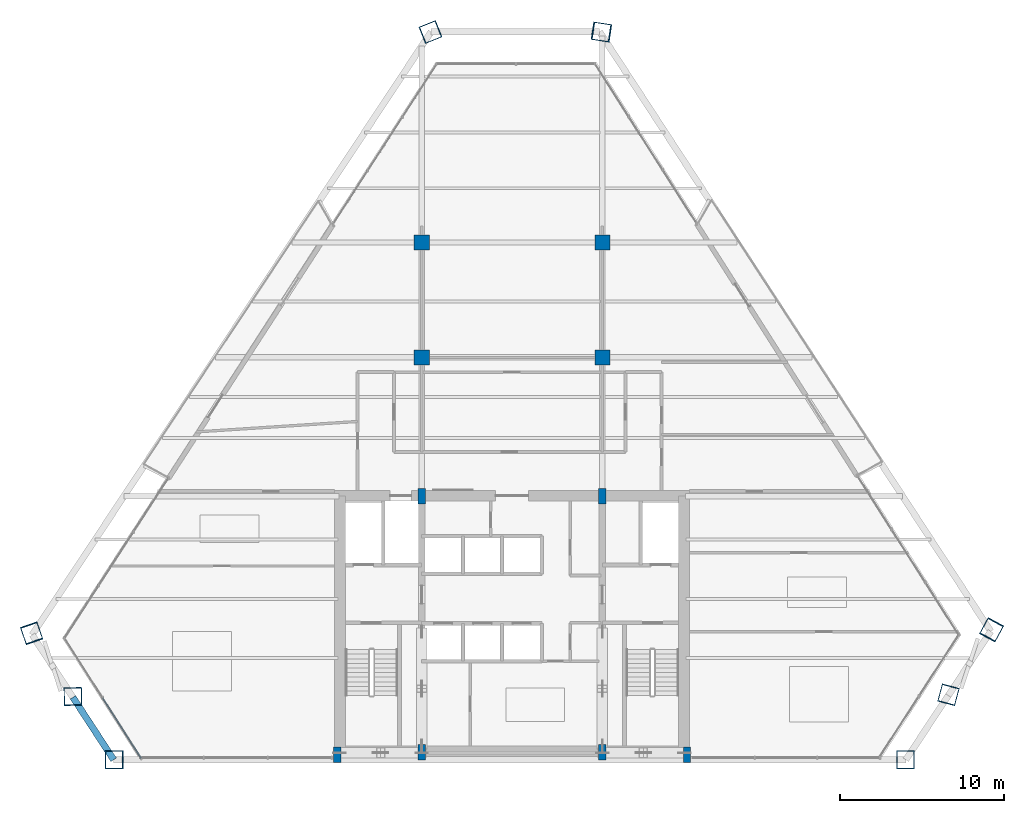
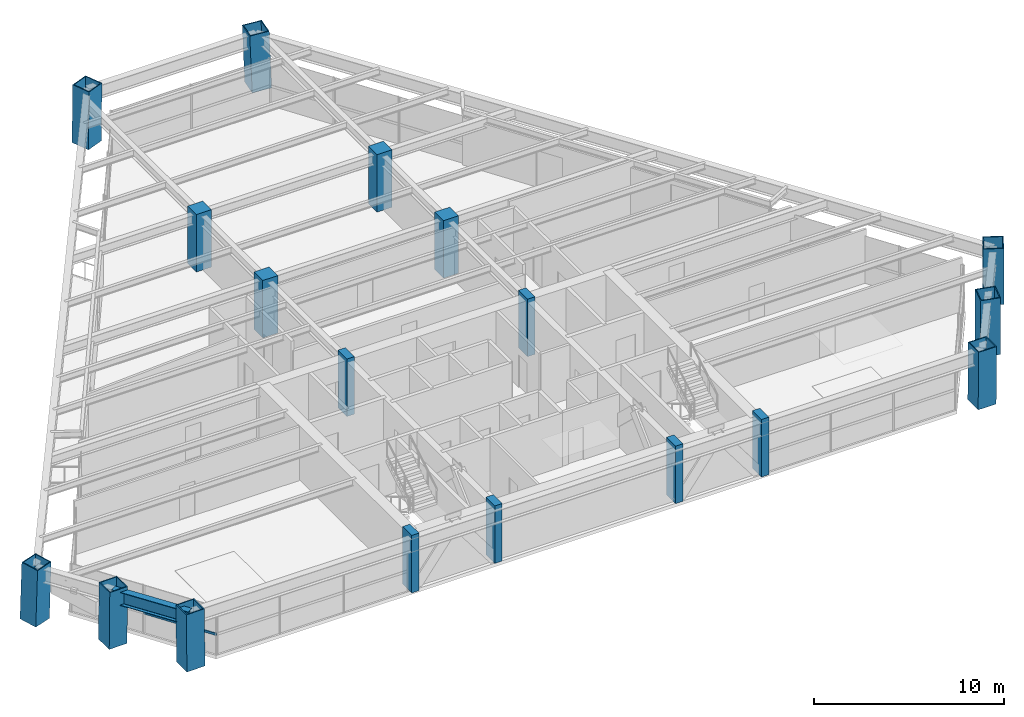
# One storey, part 1 of 15: 18 columns, 1 beam, 1 member, 1 element without a shape of its own.
"""IFC4 building model written with IfcOpenShell, lengths in metres."""

from ifc_helpers import new_model, si_unit, direction, frame, origin, origin_2d, place, context, subcontext, project, spatial, rectangle, hollow_rectangle, i_section, extrude, source, transform, mapped, material, material_profile, profile_set, type_object, element, aggregate, save


model = new_model("IFC4")

# Units and contexts
model_context = context("Model", 3, precision=1e-05, world=origin(), true_north=direction((0.0, 1.0)))
body_context = subcontext(model_context, "Body", "Model", "MODEL_VIEW")
ifc_project = project(units=[si_unit("LENGTHUNIT", "METRE"), si_unit("AREAUNIT", "SQUARE_METRE"), si_unit("VOLUMEUNIT", "CUBIC_METRE"), si_unit("PLANEANGLEUNIT", "RADIAN"), si_unit("MASSUNIT", "GRAM", prefix="KILO")], contexts=[model_context])

# Site, building, storey
site_placement = place(None, origin())
site = spatial("IfcSite", under=ifc_project, at=site_placement, CompositionType="ELEMENT")
building_placement = place(site_placement, origin())
building = spatial("IfcBuilding", under=site, at=building_placement, Name="Varnakhor Terracotta Tower", CompositionType="ELEMENT")
storey_placement = place(building_placement, frame((0.0, 0.0, 144.10009765625)))
storey = spatial("IfcBuildingStorey", under=building, at=storey_placement, Name="L36", CompositionType="ELEMENT", Elevation=144.10009765625)

# Columns
ifc_material_1 = material(Name="Concrete C50/60", Category="concrete")
ifc_material_profile_1 = material_profile(ifc_material_1, rectangle(XDim=0.449951171875, YDim=0.949951171875, at=origin_2d()), Name="RC PILASTER 950x450")
ifc_profile_set_1 = profile_set([ifc_material_profile_1], Name="Concrete C50/60")
column_type_1 = type_object("IfcColumnType", Name="COL-PIL-950x450", PredefinedType="PILASTER", material=ifc_profile_set_1)
shared_shape_1 = source(origin(), body_context, "Body", "SweptSolid", [
    extrude(rectangle(XDim=0.449951171875, YDim=0.949951171875, at=origin_2d()), origin(), (0.0, 0.0, 1.0), 3.699951171875),
])
for number, where, z_axis, x_axis, name in (
    (1, (-10.64990234375, 0.300048828125, 0.0), (0.0, 0.0, 1.0), (1.0, 0.0, 0.0), "L36 Core Pilaster CP1"),
    (2, (-5.5, 0.449951171875, 0.0), (0.0, 0.0, 1.0), (1.0, 0.0, 0.0), "L36 Core Pilaster CP2"),
    (3, (5.5, 0.449951171875, 0.0), (0.0, 0.0, 1.0), (1.0, 0.0, 0.0), "L36 Core Pilaster CP3"),
    (4, (10.64990234375, 0.300048828125, 0.0), (0.0, 0.0, 1.0), (1.0, 0.0, 0.0), "L36 Core Pilaster CP4"),
    (5, (-5.5, 16.050048828125, 0.0), (0.0, 0.0, 1.0), (1.0, 0.0, 0.0), "L36 Core Pilaster CP5"),
    (6, (5.5, 16.050048828125, 0.0), (0.0, 0.0, 1.0), (1.0, 0.0, 0.0), "L36 Core Pilaster CP6"),
):
    element("IfcColumn", number, at=place(storey_placement, frame(where, z_axis=z_axis, x_axis=x_axis)), inside=storey, type_object=column_type_1, Name=name, PredefinedType="PILASTER", context=body_context, shape_type="MappedRepresentation", body=[
        mapped(shared_shape_1, transform((0.0, 0.0, 0.0), scale=1.0)),
    ])
ifc_material_2 = material(Name="Steel S460", Category="steel")
ifc_material_profile_2 = material_profile(ifc_material_2, hollow_rectangle(XDim=1.10009765625, YDim=1.10009765625, WallThickness=0.054931640625, at=origin_2d()), Name="BOX 1100x1100x55")
ifc_profile_set_2 = profile_set([ifc_material_profile_2], Name="Steel S460")
column_type_2 = type_object("IfcColumnType", Name="COL-MEGA-1100", PredefinedType="COLUMN", material=ifc_profile_set_2)
shared_shape_2 = source(origin(), body_context, "Body", "SweptSolid", [
    extrude(hollow_rectangle(XDim=1.10009765625, YDim=1.10009765625, WallThickness=0.054931640625, at=origin_2d()), origin(), (0.0, 0.0, 1.0), 3.69140625),
])
for number, where, z_axis, x_axis, name in (
    (7, (-24.220947265625, 0.0, 0.00439453125), (-0.010515987048, 0.0, 0.999944705479), (0.0, -1.0, 0.0), "L36 Perimeter Mega-Column M1"),
    (8, (23.945068359375, 0.0, 0.00439453125), (0.008465865003, 0.0, 0.999964163923), (0.0, 1.0, 0.0), "L36 Perimeter Mega-Column M2"),
):
    element("IfcColumn", number, at=place(storey_placement, frame(where, z_axis=z_axis, x_axis=x_axis)), inside=storey, type_object=column_type_2, Name=name, PredefinedType="COLUMN", context=body_context, shape_type="MappedRepresentation", body=[
        mapped(shared_shape_2, transform((0.0, 0.0, 0.0), scale=1.0)),
    ])
shared_shape_3 = source(origin(), body_context, "Body", "SweptSolid", [
    extrude(hollow_rectangle(XDim=1.10009765625, YDim=1.10009765625, WallThickness=0.054931640625, at=origin_2d()), origin(), (0.0, 0.0, 1.0), 3.691650390625),
])
for number, where, z_axis, x_axis, name in (
    (9, (26.577880859375, 3.96630859375, 0.00439453125), (-0.004100287285, -0.015276876819, 0.999874894514), (0.965817310186, -0.259223693643, 0.0), "L36 Perimeter Mega-Column M3"),
    (10, (-4.9765625, 44.309814453125, 0.00439453125), (0.014218849607, 0.005687539843, 0.999882731227), (-0.371390676354, 0.928476690885, 0.0), "L36 Perimeter Mega-Column M6"),
    (11, (-26.741455078125, 3.861572265625, 0.00439453125), (0.000330666626, -0.016136531338, 0.999869743025), (0.999790109099, 0.020487502236, 0.0), "L36 Perimeter Mega-Column M8"),
):
    element("IfcColumn", number, at=place(storey_placement, frame(where, z_axis=z_axis, x_axis=x_axis)), inside=storey, type_object=column_type_2, Name=name, PredefinedType="COLUMN", context=body_context, shape_type="MappedRepresentation", body=[
        mapped(shared_shape_3, transform((0.0, 0.0, 0.0), scale=1.0)),
    ])
shared_shape_4 = source(origin(), body_context, "Body", "SweptSolid", [
    extrude(hollow_rectangle(XDim=1.10009765625, YDim=1.10009765625, WallThickness=0.054931640625, at=origin_2d()), origin(), (0.0, 0.0, 1.0), 3.693359375),
])
for number, where, z_axis, x_axis, name in (
    (12, (29.21044921875, 7.9326171875, 0.00439453125), (-0.016525513461, -0.030539148876, 0.999396952062), (0.87949119898, -0.475915150963, 0.0), "L36 Perimeter Mega-Column M4"),
    (13, (-29.26220703125, 7.722900390625, 0.00439453125), (0.011171496394, -0.032192418602, 0.999419254294), (0.944732090072, 0.327843374173, 0.0), "L36 Perimeter Mega-Column M7"),
):
    element("IfcColumn", number, at=place(storey_placement, frame(where, z_axis=z_axis, x_axis=x_axis)), inside=storey, type_object=column_type_2, Name=name, PredefinedType="COLUMN", context=body_context, shape_type="MappedRepresentation", body=[
        mapped(shared_shape_4, transform((0.0, 0.0, 0.0), scale=1.0)),
    ])
ifc_material_profile_3 = material_profile(ifc_material_1, rectangle(XDim=0.919921875, YDim=0.919921875, at=origin_2d()), Name="RC 920x920")
ifc_profile_set_3 = profile_set([ifc_material_profile_3], Name="Concrete C50/60")
column_type_3 = type_object("IfcColumnType", Name="COL-RC-920", PredefinedType="COLUMN", material=ifc_profile_set_3)
shared_shape_5 = source(origin(), body_context, "Body", "SweptSolid", [
    extrude(rectangle(XDim=0.919921875, YDim=0.919921875, at=origin_2d()), origin(), (0.0, 0.0, 1.0), 3.699951171875),
])
for number, where, z_axis, x_axis, name in (
    (14, (-5.5, 24.5, 0.0), (0.0, 0.0, 1.0), (1.0, 0.0, 0.0), "L36 Interior Tower Column IC1"),
    (15, (5.5, 24.5, 0.0), (0.0, 0.0, 1.0), (1.0, 0.0, 0.0), "L36 Interior Tower Column IC2"),
    (16, (-5.5, 31.5, 0.0), (0.0, 0.0, 1.0), (1.0, 0.0, 0.0), "L36 Interior Tower Column IC3"),
    (17, (5.5, 31.5, 0.0), (0.0, 0.0, 1.0), (1.0, 0.0, 0.0), "L36 Interior Tower Column IC4"),
):
    element("IfcColumn", number, at=place(storey_placement, frame(where, z_axis=z_axis, x_axis=x_axis)), inside=storey, type_object=column_type_3, Name=name, PredefinedType="COLUMN", context=body_context, shape_type="MappedRepresentation", body=[
        mapped(shared_shape_5, transform((0.0, 0.0, 0.0), scale=1.0)),
    ])
shared_shape_6 = source(origin(), body_context, "Body", "SweptSolid", [
    extrude(hollow_rectangle(XDim=1.10009765625, YDim=1.10009765625, WallThickness=0.054931640625, at=origin_2d()), origin(), (0.0, 0.0, 1.0), 3.69384765625),
])
column_placement = place(storey_placement, frame((5.465087890625, 44.309814453125, 0.00439453125), z_axis=(-0.037145516231, 0.005684189316, 0.999293700879), x_axis=(-0.151264112004, -0.988493383094, 0.0)))
element("IfcColumn", 18, at=column_placement, inside=storey, type_object=column_type_2, Name="L36 Perimeter Mega-Column M5", PredefinedType="COLUMN", context=body_context, shape_type="MappedRepresentation", body=[
    mapped(shared_shape_6, transform((0.0, 0.0, 0.0), scale=1.0)),
])

# Beam
ifc_material_3 = material(Name="Steel S355", Category="steel")
ifc_material_profile_4 = material_profile(ifc_material_3, i_section(OverallWidth=0.39990234375, OverallDepth=0.85498046875, WebThickness=0.01806640625, FlangeThickness=0.029052734375, FilletRadius=0.01806640625, at=origin_2d()), Name="W33X201")
ifc_profile_set_4 = profile_set([ifc_material_profile_4], Name="Steel S355")
beam_type = type_object("IfcBeamType", Name="BM-W33X201", PredefinedType="BEAM", material=ifc_profile_set_4)
shared_shape_7 = source(origin(), body_context, "Body", "SweptSolid", [
    extrude(i_section(OverallWidth=0.39990234375, OverallDepth=0.85498046875, WebThickness=0.01806640625, FlangeThickness=0.029052734375, FilletRadius=0.01806640625, at=origin_2d()), origin(), (0.0, 0.0, 1.0), 4.53955078125),
])
beam_placement = place(storey_placement, frame((-26.740234375, 3.802001953125, 3.04248046875), z_axis=(0.546407216432, -0.837519643848, 0.0), x_axis=(0.837519643848, 0.546407216432, 0.0)))
element("IfcBeam", 19, at=beam_placement, inside=storey, type_object=beam_type, Name="L36 Perimeter Spandrel 8", PredefinedType="BEAM", context=body_context, shape_type="MappedRepresentation", body=[
    mapped(shared_shape_7, transform((0.0, 0.0, 0.0), scale=1.0)),
])

# Curtain wall, member
ifc_material_4 = material(Name="Anodised Aluminium Curtain Wall System", Category="aluminium")
curtain_wall_type = type_object("IfcCurtainWallType", Name="CW-SYS-MID-OFFICE", PredefinedType="NOTDEFINED", material=ifc_material_4)
curtain_wall_placement = place(storey_placement, origin())
curtain_wall = element("IfcCurtainWall", 20, at=curtain_wall_placement, inside=storey, type_object=curtain_wall_type, Name="L36 Facet Curtain Wall 6", PredefinedType="NOTDEFINED")
ifc_material_5 = material(Name="Anodised Aluminium 6063-T6", Category="aluminium")
ifc_material_profile_5 = material_profile(ifc_material_5, rectangle(XDim=0.070068359375, YDim=0.155029296875, at=origin_2d()), Name="ALU TRANSOM 70x155")
ifc_profile_set_5 = profile_set([ifc_material_profile_5], Name="Anodised Aluminium 6063-T6")
member_type = type_object("IfcMemberType", Name="CWT-03", PredefinedType="USERDEFINED", material=ifc_profile_set_5)
shared_shape_8 = source(origin(), body_context, "Body", "SweptSolid", [
    extrude(rectangle(XDim=0.070068359375, YDim=0.155029296875, at=origin_2d()), origin(), (0.0, 0.0, 1.0), 4.359619140625),
])
member_placement = place(storey_placement, frame((-22.586181640625, 0.08984375, 1.281005859375), z_axis=(-0.537158100569, 0.843481579522, 0.0), x_axis=(-0.843481579522, -0.537158100569, 0.0)))
member = element("IfcMember", 21, at=member_placement, type_object=member_type, Name="L36 Facet Curtain Wall 6 Transom 1", ObjectType="TRANSOM", PredefinedType="USERDEFINED", context=body_context, shape_type="MappedRepresentation", body=[
    mapped(shared_shape_8, transform((0.0, 0.0, 0.0), scale=1.0)),
])
aggregate(curtain_wall, [member])

save(model, "model.ifc")
